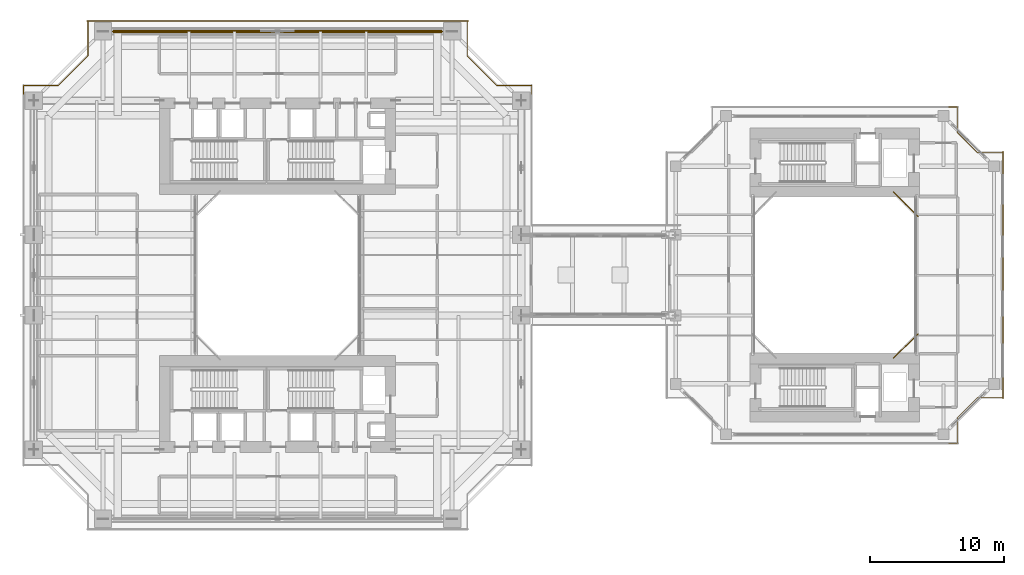
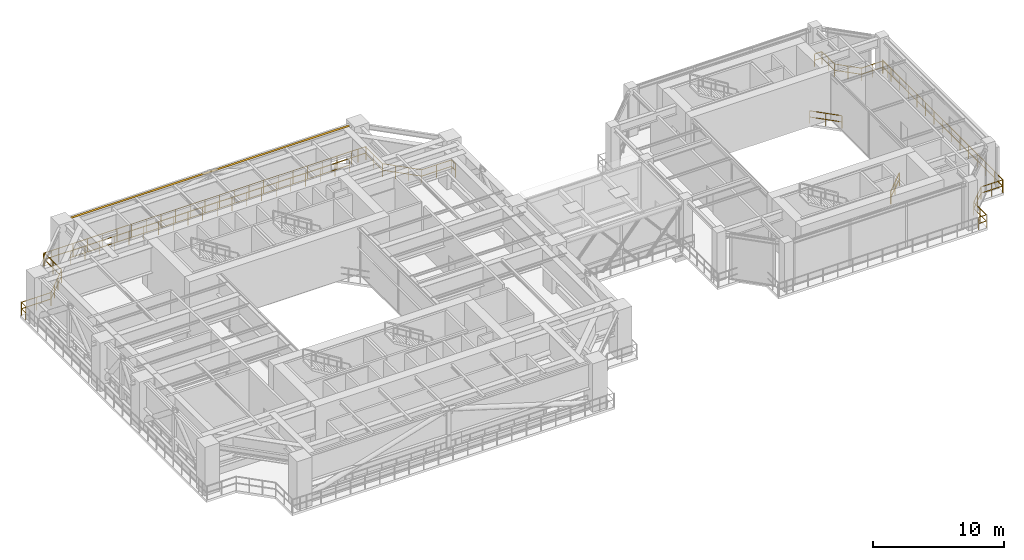
# One storey, part 25 of 25: 9 railings, 1 shading device.
"""IFC4 building model written with IfcOpenShell, lengths in metres."""

import ifcopenshell
import ifcopenshell.guid

model = None  # the IFC model being written
_history = None  # IfcOwnerHistory: only IFC2X3 demands one
_inside = {}  # id of a spatial element -> (the spatial element, [elements in it])
_under = {}  # id of a project, library or spatial element -> (it, [spatial elements below it])
_declared = {}  # id of a project -> (the project, [libraries it declares])
_typed = {}  # id of a type object -> (the type object, [elements of that type])
_made_of = {}  # id of a material, layer set ... -> (it, [elements and type objects made of it])


def new_model(schema):
    """Start an empty IFC model of exactly this schema.

    Asked for "IFC4X3", IfcOpenShell would pick the latest addendum, in which some entities
    have other attributes; the version numbers below select the first issue.
    IFC2X3 requires an IfcOwnerHistory on every rooted entity: one is made here for all.
    """
    global model, _history
    if schema == "IFC4X3":
        model = ifcopenshell.file(schema_version=(4, 3, 0, 0))
    else:
        model = ifcopenshell.file(schema=schema)
    _inside.clear()
    _under.clear()
    _declared.clear()
    _typed.clear()
    _made_of.clear()
    _history = None
    if model.schema == "IFC2X3":
        org = make("IfcOrganization", Name="unknown")
        user = make(
            "IfcPersonAndOrganization",
            ThePerson=make("IfcPerson", FamilyName="unknown"),
            TheOrganization=org,
        )
        app = make(
            "IfcApplication",
            ApplicationDeveloper=org,
            Version="unknown",
            ApplicationFullName="unknown",
            ApplicationIdentifier="unknown",
        )
        _history = make(
            "IfcOwnerHistory",
            OwningUser=user,
            OwningApplication=app,
            ChangeAction="ADDED",
            CreationDate=0,
        )
    return model


def make(cls, **values):
    """One entity of the class cls with the attributes given. An attribute that is None is left unset."""
    return model.create_entity(
        cls, **{name: value for name, value in values.items() if value is not None}
    )


def rooted(cls, **values):
    """An entity with a GlobalId (a new one), such as an element, a storey or a relation."""
    return make(cls, GlobalId=ifcopenshell.guid.new(), OwnerHistory=_history, **values)


def si_unit(unit_type, name, prefix=None):
    """IfcSIUnit, for example si_unit("LENGTHUNIT", "METRE", prefix="MILLI")."""
    return make("IfcSIUnit", UnitType=unit_type, Prefix=prefix, Name=name)


def assignment(units):
    """IfcUnitAssignment: the units of a project."""
    return None if units is None else make("IfcUnitAssignment", Units=units)


def point(xyz):
    """IfcCartesianPoint."""
    return None if xyz is None else make("IfcCartesianPoint", Coordinates=xyz)


def direction(xyz):
    """IfcDirection."""
    return None if xyz is None else make("IfcDirection", DirectionRatios=xyz)


def frame(location, z_axis=None, x_axis=None):
    """IfcAxis2Placement3D, a coordinate frame: its origin and axes. An axis left out is left unset."""
    return make(
        "IfcAxis2Placement3D",
        Location=point(location),
        Axis=direction(z_axis),
        RefDirection=direction(x_axis),
    )


def frame_2d(location, x_axis=None):
    """IfcAxis2Placement2D, a coordinate frame in the plane: its origin and x axis."""
    return make(
        "IfcAxis2Placement2D", Location=point(location), RefDirection=direction(x_axis)
    )


def origin():
    """The frame at (0, 0, 0) with its axes left unset."""
    return frame((0.0, 0.0, 0.0))


def origin_2d():
    """The frame at (0, 0) in the plane with its x axis left unset."""
    return frame_2d((0.0, 0.0))


def place(relative_to, where):
    """IfcLocalPlacement: puts the frame where relative to a parent placement (None: the world)."""
    return make(
        "IfcLocalPlacement", PlacementRelTo=relative_to, RelativePlacement=where
    )


def context(
    kind, dimensions, precision=None, world=None, true_north=None, identifier=None
):
    """IfcGeometricRepresentationContext, for example the 3D "Model" context."""
    return make(
        "IfcGeometricRepresentationContext",
        ContextIdentifier=identifier,
        ContextType=kind,
        CoordinateSpaceDimension=dimensions,
        Precision=precision,
        WorldCoordinateSystem=world,
        TrueNorth=true_north,
    )


def subcontext(parent, identifier, kind, view, scale=None):
    """IfcGeometricRepresentationSubContext, for example "Body" below "Model"."""
    return make(
        "IfcGeometricRepresentationSubContext",
        ContextIdentifier=identifier,
        ContextType=kind,
        ParentContext=parent,
        TargetScale=scale,
        TargetView=view,
    )


def project(units=None, contexts=None):
    """IfcProject with its units and contexts."""
    return rooted(
        "IfcProject",
        Name="project",
        RepresentationContexts=contexts,
        UnitsInContext=assignment(units),
    )


def spatial(cls, under=None, at=None, **own):
    """A site, building, storey or space (cls), placed at a placement, below another one or the project."""
    s = rooted(cls, ObjectPlacement=at, **own)
    if under is not None:
        _under.setdefault(under.id(), (under, []))[1].append(s)
    return s


def profile(cls, at=None, kind="AREA", **sizes):
    """A parametric profile (cls). Its sizes go by their IFC names, for example OverallWidth=200.0."""
    return make(cls, ProfileType=kind, Position=at, **sizes)


def rectangle(**sizes):
    """IfcRectangleProfileDef."""
    return profile("IfcRectangleProfileDef", **sizes)


def extrude(swept, where, along, depth):
    """IfcExtrudedAreaSolid: the profile swept, set in the frame where, extruded along a direction by depth."""
    return make(
        "IfcExtrudedAreaSolid",
        SweptArea=swept,
        Position=where,
        ExtrudedDirection=direction(along),
        Depth=depth,
    )


def shape(context_of_items, identifier, shape_type, items):
    """IfcShapeRepresentation: the items that make up one representation, for example the "Body"."""
    return make(
        "IfcShapeRepresentation",
        ContextOfItems=context_of_items,
        RepresentationIdentifier=identifier,
        RepresentationType=shape_type,
        Items=items,
    )


def source(mapping_origin, context_of_items, identifier, shape_type, items):
    """IfcRepresentationMap: a shape defined once, which mapped items show again and again."""
    return make(
        "IfcRepresentationMap",
        MappingOrigin=mapping_origin,
        MappedRepresentation=shape(context_of_items, identifier, shape_type, items),
    )


def transform(
    local_origin,
    x_axis=None,
    y_axis=None,
    z_axis=None,
    scale=None,
    scale2=None,
    scale3=None,
    uniform=True,
):
    """IfcCartesianTransformationOperator3D, or its non-uniform kind. x_axis, y_axis, z_axis: its Axis1, 2, 3."""
    if uniform:
        return make(
            "IfcCartesianTransformationOperator3D",
            Axis1=direction(x_axis),
            Axis2=direction(y_axis),
            LocalOrigin=point(local_origin),
            Scale=scale,
            Axis3=direction(z_axis),
        )
    return make(
        "IfcCartesianTransformationOperator3DnonUniform",
        Axis1=direction(x_axis),
        Axis2=direction(y_axis),
        LocalOrigin=point(local_origin),
        Scale=scale,
        Axis3=direction(z_axis),
        Scale2=scale2,
        Scale3=scale3,
    )


def mapped(mapping_source, mapping_target):
    """IfcMappedItem: shows the shape of a source again, moved by a transform."""
    return make(
        "IfcMappedItem", MappingSource=mapping_source, MappingTarget=mapping_target
    )


def material(Name=None, Category=None):
    """IfcMaterial."""
    return make("IfcMaterial", Name=Name, Category=Category)


def material_profile(
    of_material, cross_section, Name=None, Category=None, Priority=None
):
    """IfcMaterialProfile: a cross section and its material."""
    return make(
        "IfcMaterialProfile",
        Name=Name,
        Material=of_material,
        Profile=cross_section,
        Priority=Priority,
        Category=Category,
    )


def profile_set(profiles, Name=None, composite=None):
    """IfcMaterialProfileSet."""
    return make(
        "IfcMaterialProfileSet",
        Name=Name,
        MaterialProfiles=profiles,
        CompositeProfile=composite,
    )


def made_of(thing, what):
    """Note that an element or type object is made of a material, layer set ...; save() writes the relation."""
    if what is not None:
        _made_of.setdefault(what.id(), (what, []))[1].append(thing)
    return thing


def type_object(cls, material=None, **own):
    """A type object (cls), such as IfcWallType, which elements share."""
    return made_of(rooted(cls, **own), material)


def element(
    cls,
    number,
    at=None,
    inside=None,
    cuts=None,
    type_object=None,
    material=None,
    context=None,
    identifier="Body",
    shape_type=None,
    held_by="IfcProductDefinitionShape",
    body=None,
    shapes=None,
    **own,
):
    """One element of the class cls, such as IfcWall. Its Tag is "e" and its number.

    at: its placement. inside: the storey or other place that contains it. cuts: it is an
    opening in that element (IfcRelVoidsElement). A single representation is given by context,
    identifier, shape_type and body (its items); several are given by shapes. held_by: the class
    of the entity that holds the representations. save() writes the other relations.
    """
    e = rooted(cls, Tag="e%d" % number, ObjectPlacement=at, **own)
    if body is not None:
        shapes = [shape(context, identifier, shape_type, body)]
    if shapes is not None:
        e.Representation = make(held_by, Representations=shapes)
    if inside is not None:
        _inside.setdefault(inside.id(), (inside, []))[1].append(e)
    if cuts is not None:
        rooted(
            "IfcRelVoidsElement", RelatingBuildingElement=cuts, RelatedOpeningElement=e
        )
    if type_object is not None:
        _typed.setdefault(type_object.id(), (type_object, []))[1].append(e)
    return made_of(e, material)


def aggregate(whole, parts):
    """IfcRelAggregates: a whole, such as a stair, and the parts it consists of."""
    return rooted("IfcRelAggregates", RelatingObject=whole, RelatedObjects=parts)


def save(model, path):
    """Write the relations noted so far, then the file.

    IfcRelAggregates (storeys below a building ...), IfcRelContainedInSpatialStructure (elements
    in a storey), IfcRelDefinesByType, IfcRelAssociatesMaterial and IfcRelDeclares: one each for
    every whole, place, type object, material and project.
    """
    for whole, parts in _under.values():
        aggregate(whole, parts)
    for where, things in _inside.values():
        rooted(
            "IfcRelContainedInSpatialStructure",
            RelatedElements=things,
            RelatingStructure=where,
        )
    for kind, things in _typed.values():
        rooted("IfcRelDefinesByType", RelatedObjects=things, RelatingType=kind)
    for what, things in _made_of.values():
        rooted("IfcRelAssociatesMaterial", RelatedObjects=things, RelatingMaterial=what)
    for by, libraries in _declared.values():
        rooted("IfcRelDeclares", RelatingContext=by, RelatedDefinitions=libraries)
    model.write(path)


model = new_model("IFC4")

# Units and contexts
model_context = context("Model", 3, precision=1e-05, world=origin(), true_north=direction((0.0, 1.0)))
body_context = subcontext(model_context, "Body", "Model", "MODEL_VIEW")
ifc_project = project(units=[si_unit("LENGTHUNIT", "METRE"), si_unit("AREAUNIT", "SQUARE_METRE"), si_unit("VOLUMEUNIT", "CUBIC_METRE"), si_unit("PLANEANGLEUNIT", "RADIAN"), si_unit("MASSUNIT", "GRAM", prefix="KILO"), si_unit("THERMODYNAMICTEMPERATUREUNIT", "KELVIN"), si_unit("POWERUNIT", "WATT")], contexts=[model_context])

# Site, building, storey
site_placement = place(None, origin())
site = spatial("IfcSite", under=ifc_project, at=site_placement, CompositionType="ELEMENT")
building_placement = place(site_placement, origin())
building = spatial("IfcBuilding", under=site, at=building_placement, Name="Qiaomeng Ring Towers", CompositionType="ELEMENT")
storey_placement = place(building_placement, frame((0.0, 0.0, 92.5)))
storey = spatial("IfcBuildingStorey", under=building, at=storey_placement, Name="L26", CompositionType="ELEMENT", Elevation=92.5)

# Railings
ifc_material_1 = material(Name="Low-E pale-green laminated safety glass", Category="glass")
railing_type_1 = type_object("IfcRailingType", Name="ARC-RL-BAL1", PredefinedType="BALUSTRADE", material=ifc_material_1)
railing_1_placement = place(storey_placement, frame((64.8798828125, 16.820068359375, 0.0)))
element("IfcRailing", 1, at=railing_1_placement, inside=storey, type_object=railing_type_1, Name="L26 Balustrade ARC-BAL-WELL2-L26-1", PredefinedType="BALUSTRADE", context=body_context, shape_type="SweptSolid", body=[
    extrude(rectangle(XDim=0.048095703125, YDim=0.048095703125, at=origin_2d()), frame((0.0, 0.0, 1.17578125), z_axis=(0.707106781187, 0.707106781187, 0.0), x_axis=(-0.707106781187, 0.707106781187, 0.0)), (0.0, 0.0, 1.0), 2.545654296875),
    extrude(rectangle(XDim=0.048095703125, YDim=0.048095703125, at=origin_2d()), frame((0.0, 0.0, 0.60009765625), z_axis=(0.707106781187, 0.707106781187, 0.0), x_axis=(-0.707106781187, 0.707106781187, 0.0)), (0.0, 0.0, 1.0), 2.545654296875),
    extrude(rectangle(XDim=0.0419921875, YDim=0.0419921875, at=origin_2d()), origin(), (0.0, 0.0, 1.0), 1.15185546875),
    extrude(rectangle(XDim=0.0419921875, YDim=0.0419921875, at=origin_2d()), frame((0.89990234375, 0.89990234375, 0.0)), (0.0, 0.0, 1.0), 1.15185546875),
    extrude(rectangle(XDim=0.0419921875, YDim=0.0419921875, at=origin_2d()), frame((1.800048828125, 1.800048828125, 0.0)), (0.0, 0.0, 1.0), 1.15185546875),
])
railing_2_placement = place(storey_placement, frame((66.679931640625, 27.3798828125, 0.0)))
element("IfcRailing", 2, at=railing_2_placement, inside=storey, type_object=railing_type_1, Name="L26 Balustrade ARC-BAL-WELL2-L26-2", PredefinedType="BALUSTRADE", context=body_context, shape_type="SweptSolid", body=[
    extrude(rectangle(XDim=0.048095703125, YDim=0.048095703125, at=origin_2d()), frame((0.0, 0.0, 1.17578125), z_axis=(-0.707106781187, 0.707106781187, 0.0), x_axis=(-0.707106781187, -0.707106781187, 0.0)), (0.0, 0.0, 1.0), 2.545654296875),
    extrude(rectangle(XDim=0.048095703125, YDim=0.048095703125, at=origin_2d()), frame((0.0, 0.0, 0.60009765625), z_axis=(-0.707106781187, 0.707106781187, 0.0), x_axis=(-0.707106781187, -0.707106781187, 0.0)), (0.0, 0.0, 1.0), 2.545654296875),
    extrude(rectangle(XDim=0.0419921875, YDim=0.0419921875, at=origin_2d()), origin(), (0.0, 0.0, 1.0), 1.15185546875),
    extrude(rectangle(XDim=0.0419921875, YDim=0.0419921875, at=origin_2d()), frame((-0.89990234375, 0.89990234375, 0.0)), (0.0, 0.0, 1.0), 1.15185546875),
    extrude(rectangle(XDim=0.0419921875, YDim=0.0419921875, at=origin_2d()), frame((-1.800048828125, 1.800048828125, 0.0)), (0.0, 0.0, 1.0), 1.15185546875),
])
railing_3_placement = place(storey_placement, frame((68.969970703125, 10.47998046875, 0.0)))
element("IfcRailing", 3, at=railing_3_placement, inside=storey, type_object=railing_type_1, Name="L26 Balustrade ARC-BAL-NOTCH2-L26-SE", PredefinedType="BALUSTRADE", context=body_context, shape_type="SweptSolid", body=[
    extrude(rectangle(XDim=0.048095703125, YDim=0.048095703125, at=origin_2d()), frame((0.0, 0.0, 1.17578125), z_axis=(1.0, 0.0, 0.0), x_axis=(0.0, 1.0, 0.0)), (0.0, 0.0, 1.0), 0.650146484375),
    extrude(rectangle(XDim=0.048095703125, YDim=0.048095703125, at=origin_2d()), frame((0.0, 0.0, 0.60009765625), z_axis=(1.0, 0.0, 0.0), x_axis=(0.0, 1.0, 0.0)), (0.0, 0.0, 1.0), 0.650146484375),
    extrude(rectangle(XDim=0.048095703125, YDim=0.048095703125, at=origin_2d()), frame((0.650146484375, 0.0, 1.17578125), z_axis=(0.0, 1.0, 0.0), x_axis=(-1.0, 0.0, 0.0)), (0.0, 0.0, 1.0), 1.89990234375),
    extrude(rectangle(XDim=0.048095703125, YDim=0.048095703125, at=origin_2d()), frame((0.650146484375, 0.0, 0.60009765625), z_axis=(0.0, 1.0, 0.0), x_axis=(-1.0, 0.0, 0.0)), (0.0, 0.0, 1.0), 1.89990234375),
    extrude(rectangle(XDim=0.048095703125, YDim=0.048095703125, at=origin_2d()), frame((0.650146484375, 1.89990234375, 1.17578125), z_axis=(0.707106781187, 0.707106781187, 0.0), x_axis=(-0.707106781187, 0.707106781187, 0.0)), (0.0, 0.0, 1.0), 2.121337890625),
    extrude(rectangle(XDim=0.048095703125, YDim=0.048095703125, at=origin_2d()), frame((0.650146484375, 1.89990234375, 0.60009765625), z_axis=(0.707106781187, 0.707106781187, 0.0), x_axis=(-0.707106781187, 0.707106781187, 0.0)), (0.0, 0.0, 1.0), 2.121337890625),
    extrude(rectangle(XDim=0.048095703125, YDim=0.048095703125, at=origin_2d()), frame((2.150146484375, 3.39990234375, 1.17578125), z_axis=(1.0, 0.0, 0.0), x_axis=(0.0, 1.0, 0.0)), (0.0, 0.0, 1.0), 1.89990234375),
    extrude(rectangle(XDim=0.048095703125, YDim=0.048095703125, at=origin_2d()), frame((2.150146484375, 3.39990234375, 0.60009765625), z_axis=(1.0, 0.0, 0.0), x_axis=(0.0, 1.0, 0.0)), (0.0, 0.0, 1.0), 1.89990234375),
    extrude(rectangle(XDim=0.048095703125, YDim=0.048095703125, at=origin_2d()), frame((4.050048828125, 3.39990234375, 1.17578125), z_axis=(0.0, 1.0, 0.0), x_axis=(-1.0, 0.0, 0.0)), (0.0, 0.0, 1.0), 0.650146484375),
    extrude(rectangle(XDim=0.048095703125, YDim=0.048095703125, at=origin_2d()), frame((4.050048828125, 3.39990234375, 0.60009765625), z_axis=(0.0, 1.0, 0.0), x_axis=(-1.0, 0.0, 0.0)), (0.0, 0.0, 1.0), 0.650146484375),
    extrude(rectangle(XDim=0.0419921875, YDim=0.0419921875, at=origin_2d()), origin(), (0.0, 0.0, 1.0), 1.15185546875),
    extrude(rectangle(XDim=0.0419921875, YDim=0.0419921875, at=origin_2d()), frame((0.650146484375, 0.0, 0.0)), (0.0, 0.0, 1.0), 1.15185546875),
    extrude(rectangle(XDim=0.0419921875, YDim=0.0419921875, at=origin_2d()), frame((0.650146484375, 0.949951171875, 0.0)), (0.0, 0.0, 1.0), 1.15185546875),
    extrude(rectangle(XDim=0.0419921875, YDim=0.0419921875, at=origin_2d()), frame((0.650146484375, 1.89990234375, 0.0)), (0.0, 0.0, 1.0), 1.15185546875),
    extrude(rectangle(XDim=0.0419921875, YDim=0.0419921875, at=origin_2d()), frame((1.400146484375, 2.64990234375, 0.0)), (0.0, 0.0, 1.0), 1.15185546875),
    extrude(rectangle(XDim=0.0419921875, YDim=0.0419921875, at=origin_2d()), frame((2.150146484375, 3.39990234375, 0.0)), (0.0, 0.0, 1.0), 1.15185546875),
    extrude(rectangle(XDim=0.0419921875, YDim=0.0419921875, at=origin_2d()), frame((3.10009765625, 3.39990234375, 0.0)), (0.0, 0.0, 1.0), 1.15185546875),
    extrude(rectangle(XDim=0.0419921875, YDim=0.0419921875, at=origin_2d()), frame((4.050048828125, 3.39990234375, 0.0)), (0.0, 0.0, 1.0), 1.15185546875),
    extrude(rectangle(XDim=0.0419921875, YDim=0.0419921875, at=origin_2d()), frame((4.050048828125, 4.050048828125, 0.0)), (0.0, 0.0, 1.0), 1.15185546875),
])
railing_4_placement = place(storey_placement, frame((73.02001953125, 31.469970703125, 0.0)))
element("IfcRailing", 4, at=railing_4_placement, inside=storey, type_object=railing_type_1, Name="L26 Balustrade ARC-BAL-NOTCH2-L26-NE", PredefinedType="BALUSTRADE", context=body_context, shape_type="SweptSolid", body=[
    extrude(rectangle(XDim=0.048095703125, YDim=0.048095703125, at=origin_2d()), frame((0.0, 0.0, 1.17578125), z_axis=(0.0, 1.0, 0.0), x_axis=(-1.0, 0.0, 0.0)), (0.0, 0.0, 1.0), 0.650146484375),
    extrude(rectangle(XDim=0.048095703125, YDim=0.048095703125, at=origin_2d()), frame((0.0, 0.0, 0.60009765625), z_axis=(0.0, 1.0, 0.0), x_axis=(-1.0, 0.0, 0.0)), (0.0, 0.0, 1.0), 0.650146484375),
    extrude(rectangle(XDim=0.048095703125, YDim=0.048095703125, at=origin_2d()), frame((0.0, 0.650146484375, 1.17578125), z_axis=(-1.0, 0.0, 0.0), x_axis=(0.0, -1.0, 0.0)), (0.0, 0.0, 1.0), 1.89990234375),
    extrude(rectangle(XDim=0.048095703125, YDim=0.048095703125, at=origin_2d()), frame((0.0, 0.650146484375, 0.60009765625), z_axis=(-1.0, 0.0, 0.0), x_axis=(0.0, -1.0, 0.0)), (0.0, 0.0, 1.0), 1.89990234375),
    extrude(rectangle(XDim=0.048095703125, YDim=0.048095703125, at=origin_2d()), frame((-1.89990234375, 0.650146484375, 1.17578125), z_axis=(-0.707106781187, 0.707106781187, 0.0), x_axis=(-0.707106781187, -0.707106781187, 0.0)), (0.0, 0.0, 1.0), 2.121337890625),
    extrude(rectangle(XDim=0.048095703125, YDim=0.048095703125, at=origin_2d()), frame((-1.89990234375, 0.650146484375, 0.60009765625), z_axis=(-0.707106781187, 0.707106781187, 0.0), x_axis=(-0.707106781187, -0.707106781187, 0.0)), (0.0, 0.0, 1.0), 2.121337890625),
    extrude(rectangle(XDim=0.048095703125, YDim=0.048095703125, at=origin_2d()), frame((-3.39990234375, 2.150146484375, 1.17578125), z_axis=(0.0, 1.0, 0.0), x_axis=(-1.0, 0.0, 0.0)), (0.0, 0.0, 1.0), 1.89990234375),
    extrude(rectangle(XDim=0.048095703125, YDim=0.048095703125, at=origin_2d()), frame((-3.39990234375, 2.150146484375, 0.60009765625), z_axis=(0.0, 1.0, 0.0), x_axis=(-1.0, 0.0, 0.0)), (0.0, 0.0, 1.0), 1.89990234375),
    extrude(rectangle(XDim=0.048095703125, YDim=0.048095703125, at=origin_2d()), frame((-3.39990234375, 4.050048828125, 1.17578125), z_axis=(-1.0, 0.0, 0.0), x_axis=(0.0, -1.0, 0.0)), (0.0, 0.0, 1.0), 0.650146484375),
    extrude(rectangle(XDim=0.048095703125, YDim=0.048095703125, at=origin_2d()), frame((-3.39990234375, 4.050048828125, 0.60009765625), z_axis=(-1.0, 0.0, 0.0), x_axis=(0.0, -1.0, 0.0)), (0.0, 0.0, 1.0), 0.650146484375),
    extrude(rectangle(XDim=0.0419921875, YDim=0.0419921875, at=origin_2d()), origin(), (0.0, 0.0, 1.0), 1.15185546875),
    extrude(rectangle(XDim=0.0419921875, YDim=0.0419921875, at=origin_2d()), frame((0.0, 0.650146484375, 0.0)), (0.0, 0.0, 1.0), 1.15185546875),
    extrude(rectangle(XDim=0.0419921875, YDim=0.0419921875, at=origin_2d()), frame((-0.949951171875, 0.650146484375, 0.0)), (0.0, 0.0, 1.0), 1.15185546875),
    extrude(rectangle(XDim=0.0419921875, YDim=0.0419921875, at=origin_2d()), frame((-1.89990234375, 0.650146484375, 0.0)), (0.0, 0.0, 1.0), 1.15185546875),
    extrude(rectangle(XDim=0.0419921875, YDim=0.0419921875, at=origin_2d()), frame((-2.64990234375, 1.400146484375, 0.0)), (0.0, 0.0, 1.0), 1.15185546875),
    extrude(rectangle(XDim=0.0419921875, YDim=0.0419921875, at=origin_2d()), frame((-3.39990234375, 2.150146484375, 0.0)), (0.0, 0.0, 1.0), 1.15185546875),
    extrude(rectangle(XDim=0.0419921875, YDim=0.0419921875, at=origin_2d()), frame((-3.39990234375, 3.10009765625, 0.0)), (0.0, 0.0, 1.0), 1.15185546875),
    extrude(rectangle(XDim=0.0419921875, YDim=0.0419921875, at=origin_2d()), frame((-3.39990234375, 4.050048828125, 0.0)), (0.0, 0.0, 1.0), 1.15185546875),
    extrude(rectangle(XDim=0.0419921875, YDim=0.0419921875, at=origin_2d()), frame((-4.050048828125, 4.050048828125, 0.0)), (0.0, 0.0, 1.0), 1.15185546875),
])
ifc_material_2 = material(Name="Stainless steel 316", Category="steel")
railing_type_2 = type_object("IfcRailingType", Name="ARC-RL-BAL2", PredefinedType="BALUSTRADE", material=ifc_material_2)
railing_5_placement = place(storey_placement, frame((31.300048828125, 41.14990234375, 0.0)))
element("IfcRailing", 5, at=railing_5_placement, inside=storey, type_object=railing_type_2, Name="L26 Open Refuge Band Perimeter Guard N", PredefinedType="BALUSTRADE", context=body_context, shape_type="SweptSolid", body=[
    extrude(rectangle(XDim=0.048095703125, YDim=0.048095703125, at=origin_2d()), frame((0.0, 0.0, 1.22607421875), z_axis=(-1.0, 0.0, 0.0), x_axis=(0.0, -1.0, 0.0)), (0.0, 0.0, 1.0), 24.60009765625),
    extrude(rectangle(XDim=0.048095703125, YDim=0.048095703125, at=origin_2d()), frame((0.0, 0.0, 0.625), z_axis=(-1.0, 0.0, 0.0), x_axis=(0.0, -1.0, 0.0)), (0.0, 0.0, 1.0), 24.60009765625),
    extrude(rectangle(XDim=0.0419921875, YDim=0.0419921875, at=origin_2d()), origin(), (0.0, 0.0, 1.0), 1.201904296875),
    extrude(rectangle(XDim=0.0419921875, YDim=0.0419921875, at=origin_2d()), frame((-1.294677734375, 0.0, 0.0)), (0.0, 0.0, 1.0), 1.201904296875),
    extrude(rectangle(XDim=0.0419921875, YDim=0.0419921875, at=origin_2d()), frame((-2.589599609375, 0.0, 0.0)), (0.0, 0.0, 1.0), 1.201904296875),
    extrude(rectangle(XDim=0.0419921875, YDim=0.0419921875, at=origin_2d()), frame((-3.88427734375, 0.0, 0.0)), (0.0, 0.0, 1.0), 1.201904296875),
    extrude(rectangle(XDim=0.0419921875, YDim=0.0419921875, at=origin_2d()), frame((-5.178955078125, 0.0, 0.0)), (0.0, 0.0, 1.0), 1.201904296875),
    extrude(rectangle(XDim=0.0419921875, YDim=0.0419921875, at=origin_2d()), frame((-6.4736328125, 0.0, 0.0)), (0.0, 0.0, 1.0), 1.201904296875),
    extrude(rectangle(XDim=0.0419921875, YDim=0.0419921875, at=origin_2d()), frame((-7.7685546875, 0.0, 0.0)), (0.0, 0.0, 1.0), 1.201904296875),
    extrude(rectangle(XDim=0.0419921875, YDim=0.0419921875, at=origin_2d()), frame((-9.063232421875, 0.0, 0.0)), (0.0, 0.0, 1.0), 1.201904296875),
    extrude(rectangle(XDim=0.0419921875, YDim=0.0419921875, at=origin_2d()), frame((-10.35791015625, 0.0, 0.0)), (0.0, 0.0, 1.0), 1.201904296875),
    extrude(rectangle(XDim=0.0419921875, YDim=0.0419921875, at=origin_2d()), frame((-11.652587890625, 0.0, 0.0)), (0.0, 0.0, 1.0), 1.201904296875),
    extrude(rectangle(XDim=0.0419921875, YDim=0.0419921875, at=origin_2d()), frame((-12.947509765625, 0.0, 0.0)), (0.0, 0.0, 1.0), 1.201904296875),
    extrude(rectangle(XDim=0.0419921875, YDim=0.0419921875, at=origin_2d()), frame((-14.2421875, 0.0, 0.0)), (0.0, 0.0, 1.0), 1.201904296875),
    extrude(rectangle(XDim=0.0419921875, YDim=0.0419921875, at=origin_2d()), frame((-15.536865234375, 0.0, 0.0)), (0.0, 0.0, 1.0), 1.201904296875),
    extrude(rectangle(XDim=0.0419921875, YDim=0.0419921875, at=origin_2d()), frame((-16.83154296875, 0.0, 0.0)), (0.0, 0.0, 1.0), 1.201904296875),
    extrude(rectangle(XDim=0.0419921875, YDim=0.0419921875, at=origin_2d()), frame((-18.12646484375, 0.0, 0.0)), (0.0, 0.0, 1.0), 1.201904296875),
    extrude(rectangle(XDim=0.0419921875, YDim=0.0419921875, at=origin_2d()), frame((-19.421142578125, 0.0, 0.0)), (0.0, 0.0, 1.0), 1.201904296875),
    extrude(rectangle(XDim=0.0419921875, YDim=0.0419921875, at=origin_2d()), frame((-20.7158203125, 0.0, 0.0)), (0.0, 0.0, 1.0), 1.201904296875),
    extrude(rectangle(XDim=0.0419921875, YDim=0.0419921875, at=origin_2d()), frame((-22.010498046875, 0.0, 0.0)), (0.0, 0.0, 1.0), 1.201904296875),
    extrude(rectangle(XDim=0.0419921875, YDim=0.0419921875, at=origin_2d()), frame((-23.305419921875, 0.0, 0.0)), (0.0, 0.0, 1.0), 1.201904296875),
    extrude(rectangle(XDim=0.0419921875, YDim=0.0419921875, at=origin_2d()), frame((-24.60009765625, 0.0, 0.0)), (0.0, 0.0, 1.0), 1.201904296875),
])
railing_6_placement = place(storey_placement, frame((37.919921875, 36.469970703125, 0.0)))
element("IfcRailing", 6, at=railing_6_placement, inside=storey, type_object=railing_type_2, Name="L26 Balustrade ARC-BAL-REF-CNR-L26-NE", PredefinedType="BALUSTRADE", context=body_context, shape_type="SweptSolid", body=[
    extrude(rectangle(XDim=0.048095703125, YDim=0.048095703125, at=origin_2d()), frame((0.0, 0.0, 1.22607421875), z_axis=(0.0, 1.0, 0.0), x_axis=(-1.0, 0.0, 0.0)), (0.0, 0.0, 1.0), 0.650146484375),
    extrude(rectangle(XDim=0.048095703125, YDim=0.048095703125, at=origin_2d()), frame((0.0, 0.0, 0.625), z_axis=(0.0, 1.0, 0.0), x_axis=(-1.0, 0.0, 0.0)), (0.0, 0.0, 1.0), 0.650146484375),
    extrude(rectangle(XDim=0.048095703125, YDim=0.048095703125, at=origin_2d()), frame((0.0, 0.650146484375, 1.22607421875), z_axis=(-1.0, 0.0, 0.0), x_axis=(0.0, -1.0, 0.0)), (0.0, 0.0, 1.0), 2.599853515625),
    extrude(rectangle(XDim=0.048095703125, YDim=0.048095703125, at=origin_2d()), frame((0.0, 0.650146484375, 0.625), z_axis=(-1.0, 0.0, 0.0), x_axis=(0.0, -1.0, 0.0)), (0.0, 0.0, 1.0), 2.599853515625),
    extrude(rectangle(XDim=0.048095703125, YDim=0.048095703125, at=origin_2d()), frame((-2.599853515625, 0.650146484375, 1.22607421875), z_axis=(-0.707106781187, 0.707106781187, 0.0), x_axis=(-0.707106781187, -0.707106781187, 0.0)), (0.0, 0.0, 1.0), 3.111083984375),
    extrude(rectangle(XDim=0.048095703125, YDim=0.048095703125, at=origin_2d()), frame((-2.599853515625, 0.650146484375, 0.625), z_axis=(-0.707106781187, 0.707106781187, 0.0), x_axis=(-0.707106781187, -0.707106781187, 0.0)), (0.0, 0.0, 1.0), 3.111083984375),
    extrude(rectangle(XDim=0.048095703125, YDim=0.048095703125, at=origin_2d()), frame((-4.7998046875, 2.85009765625, 1.22607421875), z_axis=(0.0, 1.0, 0.0), x_axis=(-1.0, 0.0, 0.0)), (0.0, 0.0, 1.0), 2.599853515625),
    extrude(rectangle(XDim=0.048095703125, YDim=0.048095703125, at=origin_2d()), frame((-4.7998046875, 2.85009765625, 0.625), z_axis=(0.0, 1.0, 0.0), x_axis=(-1.0, 0.0, 0.0)), (0.0, 0.0, 1.0), 2.599853515625),
    extrude(rectangle(XDim=0.048095703125, YDim=0.048095703125, at=origin_2d()), frame((-4.7998046875, 5.449951171875, 1.22607421875), z_axis=(-1.0, 0.0, 0.0), x_axis=(0.0, -1.0, 0.0)), (0.0, 0.0, 1.0), 0.650146484375),
    extrude(rectangle(XDim=0.048095703125, YDim=0.048095703125, at=origin_2d()), frame((-4.7998046875, 5.449951171875, 0.625), z_axis=(-1.0, 0.0, 0.0), x_axis=(0.0, -1.0, 0.0)), (0.0, 0.0, 1.0), 0.650146484375),
    extrude(rectangle(XDim=0.0419921875, YDim=0.0419921875, at=origin_2d()), origin(), (0.0, 0.0, 1.0), 1.201904296875),
    extrude(rectangle(XDim=0.0419921875, YDim=0.0419921875, at=origin_2d()), frame((0.0, 0.650146484375, 0.0)), (0.0, 0.0, 1.0), 1.201904296875),
    extrude(rectangle(XDim=0.0419921875, YDim=0.0419921875, at=origin_2d()), frame((-1.2998046875, 0.650146484375, 0.0)), (0.0, 0.0, 1.0), 1.201904296875),
    extrude(rectangle(XDim=0.0419921875, YDim=0.0419921875, at=origin_2d()), frame((-2.599853515625, 0.650146484375, 0.0)), (0.0, 0.0, 1.0), 1.201904296875),
    extrude(rectangle(XDim=0.0419921875, YDim=0.0419921875, at=origin_2d()), frame((-3.333251953125, 1.383544921875, 0.0)), (0.0, 0.0, 1.0), 1.201904296875),
    extrude(rectangle(XDim=0.0419921875, YDim=0.0419921875, at=origin_2d()), frame((-4.06640625, 2.11669921875, 0.0)), (0.0, 0.0, 1.0), 1.201904296875),
    extrude(rectangle(XDim=0.0419921875, YDim=0.0419921875, at=origin_2d()), frame((-4.7998046875, 2.85009765625, 0.0)), (0.0, 0.0, 1.0), 1.201904296875),
    extrude(rectangle(XDim=0.0419921875, YDim=0.0419921875, at=origin_2d()), frame((-4.7998046875, 4.14990234375, 0.0)), (0.0, 0.0, 1.0), 1.201904296875),
    extrude(rectangle(XDim=0.0419921875, YDim=0.0419921875, at=origin_2d()), frame((-4.7998046875, 5.449951171875, 0.0)), (0.0, 0.0, 1.0), 1.201904296875),
    extrude(rectangle(XDim=0.0419921875, YDim=0.0419921875, at=origin_2d()), frame((-5.449951171875, 5.449951171875, 0.0)), (0.0, 0.0, 1.0), 1.201904296875),
])
railing_7_placement = place(storey_placement, frame((5.530029296875, 41.919921875, 0.0)))
element("IfcRailing", 7, at=railing_7_placement, inside=storey, type_object=railing_type_2, Name="L26 Balustrade ARC-BAL-REF-CNR-L26-NW", PredefinedType="BALUSTRADE", context=body_context, shape_type="SweptSolid", body=[
    extrude(rectangle(XDim=0.048095703125, YDim=0.048095703125, at=origin_2d()), frame((0.0, 0.0, 1.22607421875), z_axis=(-1.0, 0.0, 0.0), x_axis=(0.0, -1.0, 0.0)), (0.0, 0.0, 1.0), 0.650146484375),
    extrude(rectangle(XDim=0.048095703125, YDim=0.048095703125, at=origin_2d()), frame((0.0, 0.0, 0.625), z_axis=(-1.0, 0.0, 0.0), x_axis=(0.0, -1.0, 0.0)), (0.0, 0.0, 1.0), 0.650146484375),
    extrude(rectangle(XDim=0.048095703125, YDim=0.048095703125, at=origin_2d()), frame((-0.650146484375, 0.0, 1.22607421875), z_axis=(0.0, -1.0, 0.0), x_axis=(1.0, 0.0, 0.0)), (0.0, 0.0, 1.0), 2.599853515625),
    extrude(rectangle(XDim=0.048095703125, YDim=0.048095703125, at=origin_2d()), frame((-0.650146484375, 0.0, 0.625), z_axis=(0.0, -1.0, 0.0), x_axis=(1.0, 0.0, 0.0)), (0.0, 0.0, 1.0), 2.599853515625),
    extrude(rectangle(XDim=0.048095703125, YDim=0.048095703125, at=origin_2d()), frame((-0.650146484375, -2.599853515625, 1.22607421875), z_axis=(-0.707106781187, -0.707106781187, 0.0), x_axis=(0.707106781187, -0.707106781187, 0.0)), (0.0, 0.0, 1.0), 3.111083984375),
    extrude(rectangle(XDim=0.048095703125, YDim=0.048095703125, at=origin_2d()), frame((-0.650146484375, -2.599853515625, 0.625), z_axis=(-0.707106781187, -0.707106781187, 0.0), x_axis=(0.707106781187, -0.707106781187, 0.0)), (0.0, 0.0, 1.0), 3.111083984375),
    extrude(rectangle(XDim=0.048095703125, YDim=0.048095703125, at=origin_2d()), frame((-2.85009765625, -4.7998046875, 1.22607421875), z_axis=(-1.0, 0.0, 0.0), x_axis=(0.0, -1.0, 0.0)), (0.0, 0.0, 1.0), 2.599853515625),
    extrude(rectangle(XDim=0.048095703125, YDim=0.048095703125, at=origin_2d()), frame((-2.85009765625, -4.7998046875, 0.625), z_axis=(-1.0, 0.0, 0.0), x_axis=(0.0, -1.0, 0.0)), (0.0, 0.0, 1.0), 2.599853515625),
    extrude(rectangle(XDim=0.048095703125, YDim=0.048095703125, at=origin_2d()), frame((-5.449951171875, -4.7998046875, 1.22607421875), z_axis=(0.0, -1.0, 0.0), x_axis=(1.0, 0.0, 0.0)), (0.0, 0.0, 1.0), 0.650146484375),
    extrude(rectangle(XDim=0.048095703125, YDim=0.048095703125, at=origin_2d()), frame((-5.449951171875, -4.7998046875, 0.625), z_axis=(0.0, -1.0, 0.0), x_axis=(1.0, 0.0, 0.0)), (0.0, 0.0, 1.0), 0.650146484375),
    extrude(rectangle(XDim=0.0419921875, YDim=0.0419921875, at=origin_2d()), origin(), (0.0, 0.0, 1.0), 1.201904296875),
    extrude(rectangle(XDim=0.0419921875, YDim=0.0419921875, at=origin_2d()), frame((-0.650146484375, 0.0, 0.0)), (0.0, 0.0, 1.0), 1.201904296875),
    extrude(rectangle(XDim=0.0419921875, YDim=0.0419921875, at=origin_2d()), frame((-0.650146484375, -1.2998046875, 0.0)), (0.0, 0.0, 1.0), 1.201904296875),
    extrude(rectangle(XDim=0.0419921875, YDim=0.0419921875, at=origin_2d()), frame((-0.650146484375, -2.599853515625, 0.0)), (0.0, 0.0, 1.0), 1.201904296875),
    extrude(rectangle(XDim=0.0419921875, YDim=0.0419921875, at=origin_2d()), frame((-1.383544921875, -3.333251953125, 0.0)), (0.0, 0.0, 1.0), 1.201904296875),
    extrude(rectangle(XDim=0.0419921875, YDim=0.0419921875, at=origin_2d()), frame((-2.11669921875, -4.06640625, 0.0)), (0.0, 0.0, 1.0), 1.201904296875),
    extrude(rectangle(XDim=0.0419921875, YDim=0.0419921875, at=origin_2d()), frame((-2.85009765625, -4.7998046875, 0.0)), (0.0, 0.0, 1.0), 1.201904296875),
    extrude(rectangle(XDim=0.0419921875, YDim=0.0419921875, at=origin_2d()), frame((-4.14990234375, -4.7998046875, 0.0)), (0.0, 0.0, 1.0), 1.201904296875),
    extrude(rectangle(XDim=0.0419921875, YDim=0.0419921875, at=origin_2d()), frame((-5.449951171875, -4.7998046875, 0.0)), (0.0, 0.0, 1.0), 1.201904296875),
    extrude(rectangle(XDim=0.0419921875, YDim=0.0419921875, at=origin_2d()), frame((-5.449951171875, -5.449951171875, 0.0)), (0.0, 0.0, 1.0), 1.201904296875),
])
railing_8_placement = place(storey_placement, frame((4.800048828125, 41.919921875, 0.0)))
element("IfcRailing", 8, at=railing_8_placement, inside=storey, type_object=railing_type_2, Name="L26 Balustrade ARC-BAL-REF-N-L26", PredefinedType="BALUSTRADE", context=body_context, shape_type="SweptSolid", body=[
    extrude(rectangle(XDim=0.048095703125, YDim=0.048095703125, at=origin_2d()), frame((0.0, 0.0, 1.22607421875), z_axis=(1.0, 0.0, 0.0), x_axis=(0.0, 1.0, 0.0)), (0.0, 0.0, 1.0), 28.39990234375),
    extrude(rectangle(XDim=0.048095703125, YDim=0.048095703125, at=origin_2d()), frame((0.0, 0.0, 0.625), z_axis=(1.0, 0.0, 0.0), x_axis=(0.0, 1.0, 0.0)), (0.0, 0.0, 1.0), 28.39990234375),
    extrude(rectangle(XDim=0.0419921875, YDim=0.0419921875, at=origin_2d()), origin(), (0.0, 0.0, 1.0), 1.201904296875),
    extrude(rectangle(XDim=0.0419921875, YDim=0.0419921875, at=origin_2d()), frame((1.291015625, 0.0, 0.0)), (0.0, 0.0, 1.0), 1.201904296875),
    extrude(rectangle(XDim=0.0419921875, YDim=0.0419921875, at=origin_2d()), frame((2.581787109375, 0.0, 0.0)), (0.0, 0.0, 1.0), 1.201904296875),
    extrude(rectangle(XDim=0.0419921875, YDim=0.0419921875, at=origin_2d()), frame((3.872802734375, 0.0, 0.0)), (0.0, 0.0, 1.0), 1.201904296875),
    extrude(rectangle(XDim=0.0419921875, YDim=0.0419921875, at=origin_2d()), frame((5.16357421875, 0.0, 0.0)), (0.0, 0.0, 1.0), 1.201904296875),
    extrude(rectangle(XDim=0.0419921875, YDim=0.0419921875, at=origin_2d()), frame((6.45458984375, 0.0, 0.0)), (0.0, 0.0, 1.0), 1.201904296875),
    extrude(rectangle(XDim=0.0419921875, YDim=0.0419921875, at=origin_2d()), frame((7.745361328125, 0.0, 0.0)), (0.0, 0.0, 1.0), 1.201904296875),
    extrude(rectangle(XDim=0.0419921875, YDim=0.0419921875, at=origin_2d()), frame((9.036376953125, 0.0, 0.0)), (0.0, 0.0, 1.0), 1.201904296875),
    extrude(rectangle(XDim=0.0419921875, YDim=0.0419921875, at=origin_2d()), frame((10.3271484375, 0.0, 0.0)), (0.0, 0.0, 1.0), 1.201904296875),
    extrude(rectangle(XDim=0.0419921875, YDim=0.0419921875, at=origin_2d()), frame((11.6181640625, 0.0, 0.0)), (0.0, 0.0, 1.0), 1.201904296875),
    extrude(rectangle(XDim=0.0419921875, YDim=0.0419921875, at=origin_2d()), frame((12.908935546875, 0.0, 0.0)), (0.0, 0.0, 1.0), 1.201904296875),
    extrude(rectangle(XDim=0.0419921875, YDim=0.0419921875, at=origin_2d()), frame((14.199951171875, 0.0, 0.0)), (0.0, 0.0, 1.0), 1.201904296875),
    extrude(rectangle(XDim=0.0419921875, YDim=0.0419921875, at=origin_2d()), frame((15.490966796875, 0.0, 0.0)), (0.0, 0.0, 1.0), 1.201904296875),
    extrude(rectangle(XDim=0.0419921875, YDim=0.0419921875, at=origin_2d()), frame((16.78173828125, 0.0, 0.0)), (0.0, 0.0, 1.0), 1.201904296875),
    extrude(rectangle(XDim=0.0419921875, YDim=0.0419921875, at=origin_2d()), frame((18.07275390625, 0.0, 0.0)), (0.0, 0.0, 1.0), 1.201904296875),
    extrude(rectangle(XDim=0.0419921875, YDim=0.0419921875, at=origin_2d()), frame((19.363525390625, 0.0, 0.0)), (0.0, 0.0, 1.0), 1.201904296875),
    extrude(rectangle(XDim=0.0419921875, YDim=0.0419921875, at=origin_2d()), frame((20.654541015625, 0.0, 0.0)), (0.0, 0.0, 1.0), 1.201904296875),
    extrude(rectangle(XDim=0.0419921875, YDim=0.0419921875, at=origin_2d()), frame((21.9453125, 0.0, 0.0)), (0.0, 0.0, 1.0), 1.201904296875),
    extrude(rectangle(XDim=0.0419921875, YDim=0.0419921875, at=origin_2d()), frame((23.236328125, 0.0, 0.0)), (0.0, 0.0, 1.0), 1.201904296875),
    extrude(rectangle(XDim=0.0419921875, YDim=0.0419921875, at=origin_2d()), frame((24.527099609375, 0.0, 0.0)), (0.0, 0.0, 1.0), 1.201904296875),
    extrude(rectangle(XDim=0.0419921875, YDim=0.0419921875, at=origin_2d()), frame((25.818115234375, 0.0, 0.0)), (0.0, 0.0, 1.0), 1.201904296875),
    extrude(rectangle(XDim=0.0419921875, YDim=0.0419921875, at=origin_2d()), frame((27.10888671875, 0.0, 0.0)), (0.0, 0.0, 1.0), 1.201904296875),
    extrude(rectangle(XDim=0.0419921875, YDim=0.0419921875, at=origin_2d()), frame((28.39990234375, 0.0, 0.0)), (0.0, 0.0, 1.0), 1.201904296875),
])
railing_9_placement = place(storey_placement, frame((73.02001953125, 13.800048828125, 0.0)))
element("IfcRailing", 9, at=railing_9_placement, inside=storey, type_object=railing_type_2, Name="L26 Balustrade ARC-BAL-T2E-REF-L26", PredefinedType="BALUSTRADE", context=body_context, shape_type="SweptSolid", body=[
    extrude(rectangle(XDim=0.048095703125, YDim=0.048095703125, at=origin_2d()), frame((0.0, 0.0, 1.22607421875), z_axis=(0.0, 1.0, 0.0), x_axis=(-1.0, 0.0, 0.0)), (0.0, 0.0, 1.0), 18.39990234375),
    extrude(rectangle(XDim=0.048095703125, YDim=0.048095703125, at=origin_2d()), frame((0.0, 0.0, 0.625), z_axis=(0.0, 1.0, 0.0), x_axis=(-1.0, 0.0, 0.0)), (0.0, 0.0, 1.0), 18.39990234375),
    extrude(rectangle(XDim=0.0419921875, YDim=0.0419921875, at=origin_2d()), origin(), (0.0, 0.0, 1.0), 1.201904296875),
    extrude(rectangle(XDim=0.0419921875, YDim=0.0419921875, at=origin_2d()), frame((0.0, 1.314208984375, 0.0)), (0.0, 0.0, 1.0), 1.201904296875),
    extrude(rectangle(XDim=0.0419921875, YDim=0.0419921875, at=origin_2d()), frame((0.0, 2.628662109375, 0.0)), (0.0, 0.0, 1.0), 1.201904296875),
    extrude(rectangle(XDim=0.0419921875, YDim=0.0419921875, at=origin_2d()), frame((0.0, 3.94287109375, 0.0)), (0.0, 0.0, 1.0), 1.201904296875),
    extrude(rectangle(XDim=0.0419921875, YDim=0.0419921875, at=origin_2d()), frame((0.0, 5.257080078125, 0.0)), (0.0, 0.0, 1.0), 1.201904296875),
    extrude(rectangle(XDim=0.0419921875, YDim=0.0419921875, at=origin_2d()), frame((0.0, 6.5712890625, 0.0)), (0.0, 0.0, 1.0), 1.201904296875),
    extrude(rectangle(XDim=0.0419921875, YDim=0.0419921875, at=origin_2d()), frame((0.0, 7.8857421875, 0.0)), (0.0, 0.0, 1.0), 1.201904296875),
    extrude(rectangle(XDim=0.0419921875, YDim=0.0419921875, at=origin_2d()), frame((0.0, 9.199951171875, 0.0)), (0.0, 0.0, 1.0), 1.201904296875),
    extrude(rectangle(XDim=0.0419921875, YDim=0.0419921875, at=origin_2d()), frame((0.0, 10.51416015625, 0.0)), (0.0, 0.0, 1.0), 1.201904296875),
    extrude(rectangle(XDim=0.0419921875, YDim=0.0419921875, at=origin_2d()), frame((0.0, 11.82861328125, 0.0)), (0.0, 0.0, 1.0), 1.201904296875),
    extrude(rectangle(XDim=0.0419921875, YDim=0.0419921875, at=origin_2d()), frame((0.0, 13.142822265625, 0.0)), (0.0, 0.0, 1.0), 1.201904296875),
    extrude(rectangle(XDim=0.0419921875, YDim=0.0419921875, at=origin_2d()), frame((0.0, 14.45703125, 0.0)), (0.0, 0.0, 1.0), 1.201904296875),
    extrude(rectangle(XDim=0.0419921875, YDim=0.0419921875, at=origin_2d()), frame((0.0, 15.771240234375, 0.0)), (0.0, 0.0, 1.0), 1.201904296875),
    extrude(rectangle(XDim=0.0419921875, YDim=0.0419921875, at=origin_2d()), frame((0.0, 17.085693359375, 0.0)), (0.0, 0.0, 1.0), 1.201904296875),
    extrude(rectangle(XDim=0.0419921875, YDim=0.0419921875, at=origin_2d()), frame((0.0, 18.39990234375, 0.0)), (0.0, 0.0, 1.0), 1.201904296875),
])

# Shading device
ifc_material_profile = material_profile(ifc_material_2, rectangle(XDim=0.199951171875, YDim=0.0400390625, at=origin_2d()), Name="LV BLADE 200x40")
ifc_profile_set = profile_set([ifc_material_profile], Name="Stainless steel 316")
shading_device_type = type_object("IfcShadingDeviceType", Name="ARC-SHD-LOUVRE", PredefinedType="JALOUSIE", material=ifc_profile_set)
shared_shape = source(origin(), body_context, "Body", "SweptSolid", [
    extrude(rectangle(XDim=0.199951171875, YDim=0.0400390625, at=origin_2d()), origin(), (0.0, 0.0, 1.0), 24.5),
])
shading_device_placement = place(storey_placement, frame((31.25, 41.14990234375, 4.300048828125), z_axis=(-1.0, 0.0, 0.0), x_axis=(0.0, -1.0, 0.0)))
element("IfcShadingDevice", 10, at=shading_device_placement, inside=storey, type_object=shading_device_type, Name="L26 Stainless Acoustic Intake Louvre N", PredefinedType="JALOUSIE", context=body_context, shape_type="MappedRepresentation", body=[
    mapped(shared_shape, transform((0.0, 0.0, 0.0), x_axis=(1.0, 0.0, 0.0), y_axis=(0.0, 1.0, 0.0), z_axis=(0.0, 0.0, 1.0), scale=1.0)),
])

save(model, "model.ifc")
